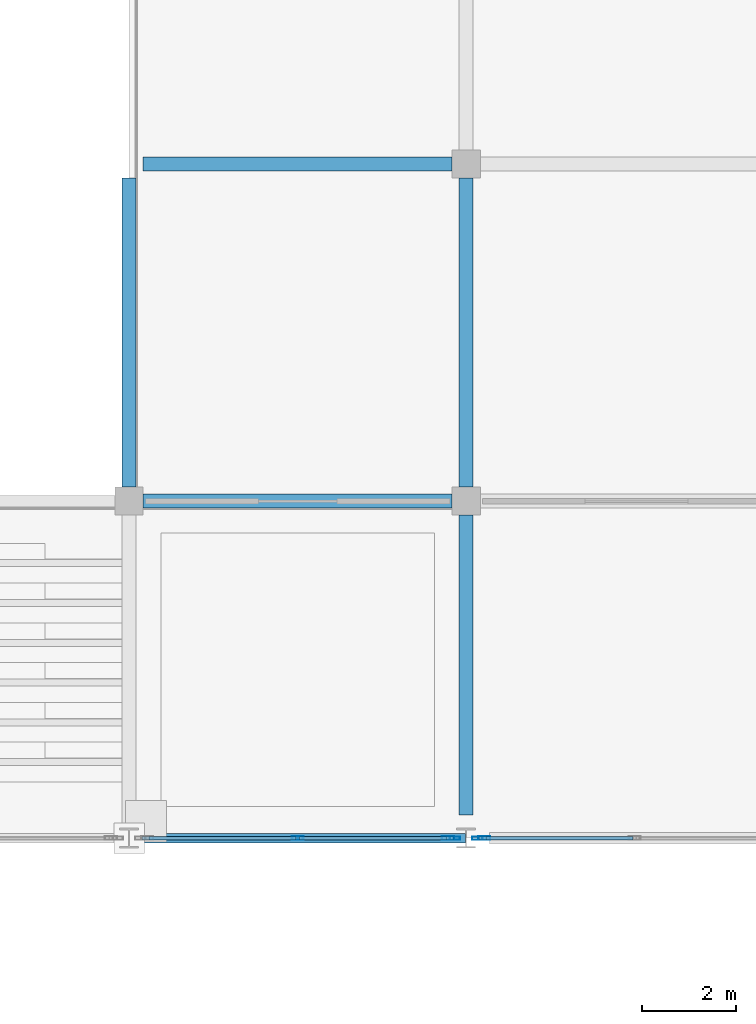
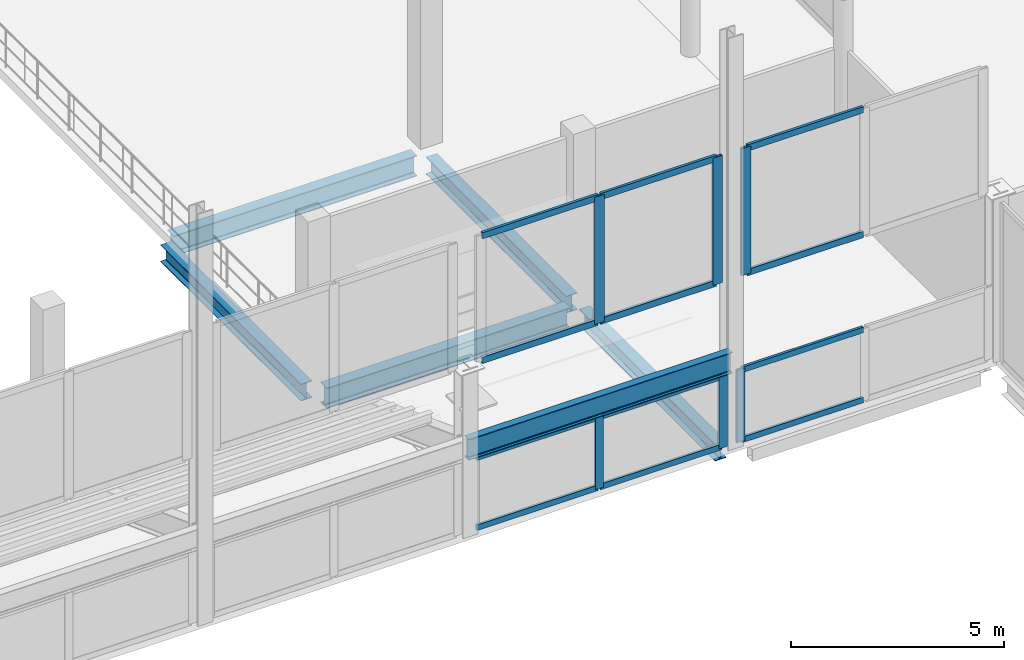
# One storey, part 29 of 120: 18 members, 6 beams, 4 elements without a shape of their own.
"""IFC4 building model written with IfcOpenShell, lengths in metres."""

from ifc_helpers import new_model, si_unit, direction, frame, origin, origin_2d, place, context, subcontext, project, spatial, hollow_rectangle, i_section, extrude, material, material_profile, profile_set, type_object, element, aggregate, save


model = new_model("IFC4")

# Units and contexts
model_context = context("Model", 3, precision=1e-05, world=origin(), true_north=direction((0.0, 1.0)))
body_context = subcontext(model_context, "Body", "Model", "MODEL_VIEW")
ifc_project = project(units=[si_unit("LENGTHUNIT", "METRE"), si_unit("AREAUNIT", "SQUARE_METRE"), si_unit("VOLUMEUNIT", "CUBIC_METRE"), si_unit("PLANEANGLEUNIT", "RADIAN"), si_unit("MASSUNIT", "GRAM", prefix="KILO")], contexts=[model_context])

# Site, building, storey
site_placement = place(None, origin())
site = spatial("IfcSite", under=ifc_project, at=site_placement, CompositionType="ELEMENT")
building_placement = place(site_placement, origin())
building = spatial("IfcBuilding", under=site, at=building_placement, Name="Vesperath Aquatics Centre", CompositionType="ELEMENT")
storey_placement = place(building_placement, frame((0.0, 0.0, 10.199951171875)))
storey = spatial("IfcBuildingStorey", under=building, at=storey_placement, Name="L02", CompositionType="ELEMENT", Elevation=10.199951171875)

# Beams
ifc_material_1 = material(Name="Steel Q355C", Category="steel")
ifc_material_profile_1 = material_profile(ifc_material_1, i_section(OverallWidth=0.300048828125, OverallDepth=0.587890625, WebThickness=0.011962890625, FlangeThickness=0.02001953125, FilletRadius=0.028076171875, at=origin_2d()), Name="HM 588x300x12x20")
ifc_profile_set_1 = profile_set([ifc_material_profile_1], Name="Steel Q355C")
beam_type_1 = type_object("IfcBeamType", Name="BM-G09", PredefinedType="BEAM", material=ifc_profile_set_1)
for number, where, z_axis, x_axis, name in (
    (1, (86.699951171875, 21.60009765625, -0.553955078125), (1.0, 0.0, 0.0), (0.0, 1.0, 0.0), "Floor Girder B09 L02 D 13-14"),
    (2, (86.699951171875, 28.800048828125, -0.553955078125), (1.0, 0.0, 0.0), (0.0, 1.0, 0.0), "Floor Girder B09 L02 E 13-14"),
):
    element("IfcBeam", number, at=place(storey_placement, frame(where, z_axis=z_axis, x_axis=x_axis)), inside=storey, type_object=beam_type_1, Name=name, PredefinedType="BEAM", context=body_context, shape_type="SweptSolid", body=[
        extrude(i_section(OverallWidth=0.300048828125, OverallDepth=0.587890625, WebThickness=0.011962890625, FlangeThickness=0.02001953125, FilletRadius=0.028076171875, at=origin_2d()), origin(), (0.0, 0.0, 1.0), 6.60009765625),
    ])
ifc_material_profile_2 = material_profile(ifc_material_1, i_section(OverallWidth=0.300048828125, OverallDepth=0.488037109375, WebThickness=0.010986328125, FlangeThickness=0.01806640625, FilletRadius=0.02587890625, at=origin_2d()), Name="HM 488x300x11x18")
ifc_profile_set_2 = profile_set([ifc_material_profile_2], Name="Steel Q355C")
beam_type_2 = type_object("IfcBeamType", Name="BM-G10", PredefinedType="BEAM", material=ifc_profile_set_2)
beam_1_placement = place(storey_placement, frame((86.39990234375, 21.89990234375, -0.50390625), z_axis=(0.0, 1.0, 0.0), x_axis=(-1.0, 0.0, 0.0)))
element("IfcBeam", 3, at=beam_1_placement, inside=storey, type_object=beam_type_2, Name="Floor Girder B10 L02 13 D-E", PredefinedType="BEAM", context=body_context, shape_type="SweptSolid", body=[
    extrude(i_section(OverallWidth=0.300048828125, OverallDepth=0.488037109375, WebThickness=0.010986328125, FlangeThickness=0.01806640625, FilletRadius=0.02587890625, at=origin_2d()), origin(), (0.0, 0.0, 1.0), 6.60009765625),
])
beam_2_placement = place(storey_placement, frame((93.60009765625, 14.89990234375, -0.50390625), z_axis=(0.0, 1.0, 0.0), x_axis=(-1.0, 0.0, 0.0)))
element("IfcBeam", 4, at=beam_2_placement, inside=storey, type_object=beam_type_2, Name="Floor Girder B10 L02 14 C-D", PredefinedType="BEAM", context=body_context, shape_type="SweptSolid", body=[
    extrude(i_section(OverallWidth=0.300048828125, OverallDepth=0.488037109375, WebThickness=0.010986328125, FlangeThickness=0.01806640625, FilletRadius=0.02587890625, at=origin_2d()), origin(), (0.0, 0.0, 1.0), 6.400146484375),
])
beam_3_placement = place(storey_placement, frame((93.60009765625, 21.89990234375, -0.50390625), z_axis=(0.0, 1.0, 0.0), x_axis=(-1.0, 0.0, 0.0)))
element("IfcBeam", 5, at=beam_3_placement, inside=storey, type_object=beam_type_2, Name="Floor Girder B10 L02 14 D-E", PredefinedType="BEAM", context=body_context, shape_type="SweptSolid", body=[
    extrude(i_section(OverallWidth=0.300048828125, OverallDepth=0.488037109375, WebThickness=0.010986328125, FlangeThickness=0.01806640625, FilletRadius=0.02587890625, at=origin_2d()), origin(), (0.0, 0.0, 1.0), 6.60009765625),
])
ifc_material_2 = material(Name="Steel Q355D", Category="steel")
ifc_material_profile_3 = material_profile(ifc_material_2, i_section(OverallWidth=0.199951171875, OverallDepth=0.60009765625, WebThickness=0.010986328125, FlangeThickness=0.01708984375, FilletRadius=0.02197265625, at=origin_2d()), Name="HN 600x200x11x17")
ifc_profile_set_3 = profile_set([ifc_material_profile_3], Name="Steel Q355D")
beam_type_3 = type_object("IfcBeamType", Name="BM-RKH1", PredefinedType="BEAM", material=ifc_profile_set_3)
beam_4_placement = place(storey_placement, frame((86.419921875, 14.39990234375, 2.400146484375), z_axis=(1.0, 0.0, 0.0), x_axis=(0.0, 1.0, 0.0)))
element("IfcBeam", 6, at=beam_4_placement, inside=storey, type_object=beam_type_3, Name="Upper Bowl Rim Girder RKH1 South 13-14", PredefinedType="BEAM", context=body_context, shape_type="SweptSolid", body=[
    extrude(i_section(OverallWidth=0.199951171875, OverallDepth=0.60009765625, WebThickness=0.010986328125, FlangeThickness=0.01708984375, FilletRadius=0.02197265625, at=origin_2d()), origin(), (0.0, 0.0, 1.0), 7.16015625),
])

# Curtain wall, members
ifc_material_3 = material(Name="Thermally broken anodised bronze aluminium curtain wall", Category="aluminium")
curtain_wall_type_1 = type_object("IfcCurtainWallType", Name="CW-08", PredefinedType="NOTDEFINED", material=ifc_material_3)
curtain_wall_1_placement = place(storey_placement, origin())
curtain_wall_1 = element("IfcCurtainWall", 7, at=curtain_wall_1_placement, inside=storey, type_object=curtain_wall_type_1, Name="Natatorium Gable West Curtain Wall CW08 S-7W", PredefinedType="NOTDEFINED")
ifc_material_4 = material(Name="Thermally broken anodised aluminium", Category="aluminium")
ifc_material_profile_4 = material_profile(ifc_material_4, hollow_rectangle(XDim=0.074951171875, YDim=0.260009765625, WallThickness=0.006103515625, at=origin_2d()), Name="CWM 75x260x6")
ifc_profile_set_4 = profile_set([ifc_material_profile_4], Name="Thermally broken anodised aluminium")
member_type_1 = type_object("IfcMemberType", Name="MB-CWM1", PredefinedType="MULLION", material=ifc_profile_set_4)
member_1_placement = place(storey_placement, frame((90.0, 14.39990234375, 4.75), z_axis=(0.0, 0.0, 1.0), x_axis=(0.0, 1.0, 0.0)))
member_1 = element("IfcMember", 8, at=member_1_placement, type_object=member_type_1, Name="CW08 mullion 2", PredefinedType="MULLION", context=body_context, shape_type="SweptSolid", body=[
    extrude(hollow_rectangle(XDim=0.074951171875, YDim=0.260009765625, WallThickness=0.006103515625, at=origin_2d()), origin(), (0.0, 0.0, 1.0), 3.650146484375),
])
member_2_placement = place(storey_placement, frame((93.21240234375, 14.39990234375, 4.75), z_axis=(0.0, 0.0, 1.0), x_axis=(0.0, 1.0, 0.0)))
member_2 = element("IfcMember", 9, at=member_2_placement, type_object=member_type_1, Name="CW08 mullion 3", PredefinedType="MULLION", context=body_context, shape_type="SweptSolid", body=[
    extrude(hollow_rectangle(XDim=0.074951171875, YDim=0.260009765625, WallThickness=0.006103515625, at=origin_2d()), origin(), (0.0, 0.0, 1.0), 3.650146484375),
])

# Curtain wall, member
curtain_wall_2_placement = place(storey_placement, origin())
curtain_wall_2 = element("IfcCurtainWall", 10, at=curtain_wall_2_placement, inside=storey, type_object=curtain_wall_type_1, Name="Natatorium Gable East Curtain Wall CW08 S-7E", PredefinedType="NOTDEFINED")
member_3_placement = place(storey_placement, frame((93.987548828125, 14.39990234375, 4.75), z_axis=(0.0, 0.0, 1.0), x_axis=(0.0, 1.0, 0.0)))
member_3 = element("IfcMember", 11, at=member_3_placement, type_object=member_type_1, Name="CW08 mullion 1", PredefinedType="MULLION", context=body_context, shape_type="SweptSolid", body=[
    extrude(hollow_rectangle(XDim=0.074951171875, YDim=0.260009765625, WallThickness=0.006103515625, at=origin_2d()), origin(), (0.0, 0.0, 1.0), 3.650146484375),
])

# Curtain wall, members
curtain_wall_type_2 = type_object("IfcCurtainWallType", Name="CW-06", PredefinedType="NOTDEFINED", material=ifc_material_3)
curtain_wall_3_placement = place(storey_placement, origin())
curtain_wall_3 = element("IfcCurtainWall", 12, at=curtain_wall_3_placement, inside=storey, type_object=curtain_wall_type_2, Name="Facade Curtain Wall CW06 L02_S_12_02", PredefinedType="NOTDEFINED")
ifc_material_profile_5 = material_profile(ifc_material_4, hollow_rectangle(XDim=0.070068359375, YDim=0.219970703125, WallThickness=0.0048828125, at=origin_2d()), Name="CWM 70x220x5")
ifc_profile_set_5 = profile_set([ifc_material_profile_5], Name="Thermally broken anodised aluminium")
member_type_2 = type_object("IfcMemberType", Name="MB-CWM2", PredefinedType="MULLION", material=ifc_profile_set_5)
member_4_placement = place(storey_placement, frame((90.0, 14.39990234375, 0.0), z_axis=(0.0, 0.0, 1.0), x_axis=(0.0, 1.0, 0.0)))
member_4 = element("IfcMember", 13, at=member_4_placement, type_object=member_type_2, Name="CW06 mullion 2", PredefinedType="MULLION", context=body_context, shape_type="SweptSolid", body=[
    extrude(hollow_rectangle(XDim=0.070068359375, YDim=0.219970703125, WallThickness=0.0048828125, at=origin_2d()), origin(), (0.0, 0.0, 1.0), 2.080078125),
])
member_5_placement = place(storey_placement, frame((93.361572265625, 14.39990234375, 0.0), z_axis=(0.0, 0.0, 1.0), x_axis=(0.0, 1.0, 0.0)))
member_5 = element("IfcMember", 14, at=member_5_placement, type_object=member_type_2, Name="CW06 mullion 3", PredefinedType="MULLION", context=body_context, shape_type="SweptSolid", body=[
    extrude(hollow_rectangle(XDim=0.070068359375, YDim=0.219970703125, WallThickness=0.0048828125, at=origin_2d()), origin(), (0.0, 0.0, 1.0), 2.080078125),
])

# Curtain wall, member
curtain_wall_4_placement = place(storey_placement, origin())
curtain_wall_4 = element("IfcCurtainWall", 15, at=curtain_wall_4_placement, inside=storey, type_object=curtain_wall_type_2, Name="Facade Curtain Wall CW06 L02_S_13_02", PredefinedType="NOTDEFINED")
member_6_placement = place(storey_placement, frame((93.83837890625, 14.39990234375, 0.0), z_axis=(0.0, 0.0, 1.0), x_axis=(0.0, 1.0, 0.0)))
member_6 = element("IfcMember", 16, at=member_6_placement, type_object=member_type_2, Name="CW06 mullion 1", PredefinedType="MULLION", context=body_context, shape_type="SweptSolid", body=[
    extrude(hollow_rectangle(XDim=0.070068359375, YDim=0.219970703125, WallThickness=0.0048828125, at=origin_2d()), origin(), (0.0, 0.0, 1.0), 2.080078125),
])

# Member
ifc_material_profile_6 = material_profile(ifc_material_4, hollow_rectangle(XDim=0.074951171875, YDim=0.179931640625, WallThickness=0.0048828125, at=origin_2d()), Name="CWT 75x180x5")
ifc_profile_set_6 = profile_set([ifc_material_profile_6], Name="Thermally broken anodised aluminium")
member_type_3 = type_object("IfcMemberType", Name="MB-CWT1", PredefinedType="USERDEFINED", material=ifc_profile_set_6)
member_7_placement = place(storey_placement, frame((86.824951171875, 14.39990234375, 4.78759765625), z_axis=(1.0, 0.0, 0.0), x_axis=(0.0, 1.0, 0.0)))
member_7 = element("IfcMember", 17, at=member_7_placement, type_object=member_type_3, Name="CW08 transom 1.1", ObjectType="TRANSOM", PredefinedType="USERDEFINED", context=body_context, shape_type="SweptSolid", body=[
    extrude(hollow_rectangle(XDim=0.074951171875, YDim=0.179931640625, WallThickness=0.0048828125, at=origin_2d()), origin(), (0.0, 0.0, 1.0), 3.137451171875),
])

member_8_placement = place(storey_placement, frame((86.824951171875, 14.39990234375, 8.362548828125), z_axis=(1.0, 0.0, 0.0), x_axis=(0.0, 1.0, 0.0)))
member_8 = element("IfcMember", 18, at=member_8_placement, type_object=member_type_3, Name="CW08 transom 1.2", ObjectType="TRANSOM", PredefinedType="USERDEFINED", context=body_context, shape_type="SweptSolid", body=[
    extrude(hollow_rectangle(XDim=0.074951171875, YDim=0.179931640625, WallThickness=0.0048828125, at=origin_2d()), origin(), (0.0, 0.0, 1.0), 3.137451171875),
])

member_9_placement = place(storey_placement, frame((90.03759765625, 14.39990234375, 4.78759765625), z_axis=(1.0, 0.0, 0.0), x_axis=(0.0, 1.0, 0.0)))
member_9 = element("IfcMember", 19, at=member_9_placement, type_object=member_type_3, Name="CW08 transom 2.1", ObjectType="TRANSOM", PredefinedType="USERDEFINED", context=body_context, shape_type="SweptSolid", body=[
    extrude(hollow_rectangle(XDim=0.074951171875, YDim=0.179931640625, WallThickness=0.0048828125, at=origin_2d()), origin(), (0.0, 0.0, 1.0), 3.137451171875),
])

member_10_placement = place(storey_placement, frame((90.03759765625, 14.39990234375, 8.362548828125), z_axis=(1.0, 0.0, 0.0), x_axis=(0.0, 1.0, 0.0)))
member_10 = element("IfcMember", 20, at=member_10_placement, type_object=member_type_3, Name="CW08 transom 2.2", ObjectType="TRANSOM", PredefinedType="USERDEFINED", context=body_context, shape_type="SweptSolid", body=[
    extrude(hollow_rectangle(XDim=0.074951171875, YDim=0.179931640625, WallThickness=0.0048828125, at=origin_2d()), origin(), (0.0, 0.0, 1.0), 3.137451171875),
])

aggregate(curtain_wall_1, [member_1, member_2, member_7, member_8, member_9, member_10])

member_11_placement = place(storey_placement, frame((94.02490234375, 14.39990234375, 4.78759765625), z_axis=(1.0, 0.0, 0.0), x_axis=(0.0, 1.0, 0.0)))
member_11 = element("IfcMember", 21, at=member_11_placement, type_object=member_type_3, Name="CW08 transom 1.1", ObjectType="TRANSOM", PredefinedType="USERDEFINED", context=body_context, shape_type="SweptSolid", body=[
    extrude(hollow_rectangle(XDim=0.074951171875, YDim=0.179931640625, WallThickness=0.0048828125, at=origin_2d()), origin(), (0.0, 0.0, 1.0), 3.1376953125),
])

member_12_placement = place(storey_placement, frame((94.02490234375, 14.39990234375, 8.362548828125), z_axis=(1.0, 0.0, 0.0), x_axis=(0.0, 1.0, 0.0)))
member_12 = element("IfcMember", 22, at=member_12_placement, type_object=member_type_3, Name="CW08 transom 1.2", ObjectType="TRANSOM", PredefinedType="USERDEFINED", context=body_context, shape_type="SweptSolid", body=[
    extrude(hollow_rectangle(XDim=0.074951171875, YDim=0.179931640625, WallThickness=0.0048828125, at=origin_2d()), origin(), (0.0, 0.0, 1.0), 3.1376953125),
])

aggregate(curtain_wall_2, [member_3, member_11, member_12])

ifc_material_profile_7 = material_profile(ifc_material_4, hollow_rectangle(XDim=0.070068359375, YDim=0.159912109375, WallThickness=0.0048828125, at=origin_2d()), Name="CWT 70x160x5")
ifc_profile_set_7 = profile_set([ifc_material_profile_7], Name="Thermally broken anodised aluminium")
member_type_4 = type_object("IfcMemberType", Name="MB-CWT2", PredefinedType="USERDEFINED", material=ifc_profile_set_7)
member_13_placement = place(storey_placement, frame((86.673583984375, 14.39990234375, 0.03515625), z_axis=(1.0, 0.0, 0.0), x_axis=(0.0, 1.0, 0.0)))
member_13 = element("IfcMember", 23, at=member_13_placement, type_object=member_type_4, Name="CW06 transom 1.1", ObjectType="TRANSOM", PredefinedType="USERDEFINED", context=body_context, shape_type="SweptSolid", body=[
    extrude(hollow_rectangle(XDim=0.070068359375, YDim=0.159912109375, WallThickness=0.0048828125, at=origin_2d()), origin(), (0.0, 0.0, 1.0), 3.29150390625),
])

member_14_placement = place(storey_placement, frame((86.673583984375, 14.39990234375, 2.045166015625), z_axis=(1.0, 0.0, 0.0), x_axis=(0.0, 1.0, 0.0)))
member_14 = element("IfcMember", 24, at=member_14_placement, type_object=member_type_4, Name="CW06 transom 1.2", ObjectType="TRANSOM", PredefinedType="USERDEFINED", context=body_context, shape_type="SweptSolid", body=[
    extrude(hollow_rectangle(XDim=0.070068359375, YDim=0.159912109375, WallThickness=0.0048828125, at=origin_2d()), origin(), (0.0, 0.0, 1.0), 3.29150390625),
])

member_15_placement = place(storey_placement, frame((90.034912109375, 14.39990234375, 0.03515625), z_axis=(1.0, 0.0, 0.0), x_axis=(0.0, 1.0, 0.0)))
member_15 = element("IfcMember", 25, at=member_15_placement, type_object=member_type_4, Name="CW06 transom 2.1", ObjectType="TRANSOM", PredefinedType="USERDEFINED", context=body_context, shape_type="SweptSolid", body=[
    extrude(hollow_rectangle(XDim=0.070068359375, YDim=0.159912109375, WallThickness=0.0048828125, at=origin_2d()), origin(), (0.0, 0.0, 1.0), 3.29150390625),
])

member_16_placement = place(storey_placement, frame((90.034912109375, 14.39990234375, 2.045166015625), z_axis=(1.0, 0.0, 0.0), x_axis=(0.0, 1.0, 0.0)))
member_16 = element("IfcMember", 26, at=member_16_placement, type_object=member_type_4, Name="CW06 transom 2.2", ObjectType="TRANSOM", PredefinedType="USERDEFINED", context=body_context, shape_type="SweptSolid", body=[
    extrude(hollow_rectangle(XDim=0.070068359375, YDim=0.159912109375, WallThickness=0.0048828125, at=origin_2d()), origin(), (0.0, 0.0, 1.0), 3.29150390625),
])

aggregate(curtain_wall_3, [member_4, member_5, member_13, member_14, member_15, member_16])

member_17_placement = place(storey_placement, frame((93.87353515625, 14.39990234375, 0.03515625), z_axis=(1.0, 0.0, 0.0), x_axis=(0.0, 1.0, 0.0)))
member_17 = element("IfcMember", 27, at=member_17_placement, type_object=member_type_4, Name="CW06 transom 1.1", ObjectType="TRANSOM", PredefinedType="USERDEFINED", context=body_context, shape_type="SweptSolid", body=[
    extrude(hollow_rectangle(XDim=0.070068359375, YDim=0.159912109375, WallThickness=0.0048828125, at=origin_2d()), origin(), (0.0, 0.0, 1.0), 3.29150390625),
])

member_18_placement = place(storey_placement, frame((93.87353515625, 14.39990234375, 2.045166015625), z_axis=(1.0, 0.0, 0.0), x_axis=(0.0, 1.0, 0.0)))
member_18 = element("IfcMember", 28, at=member_18_placement, type_object=member_type_4, Name="CW06 transom 1.2", ObjectType="TRANSOM", PredefinedType="USERDEFINED", context=body_context, shape_type="SweptSolid", body=[
    extrude(hollow_rectangle(XDim=0.070068359375, YDim=0.159912109375, WallThickness=0.0048828125, at=origin_2d()), origin(), (0.0, 0.0, 1.0), 3.29150390625),
])

aggregate(curtain_wall_4, [member_6, member_17, member_18])

save(model, "model.ifc")
